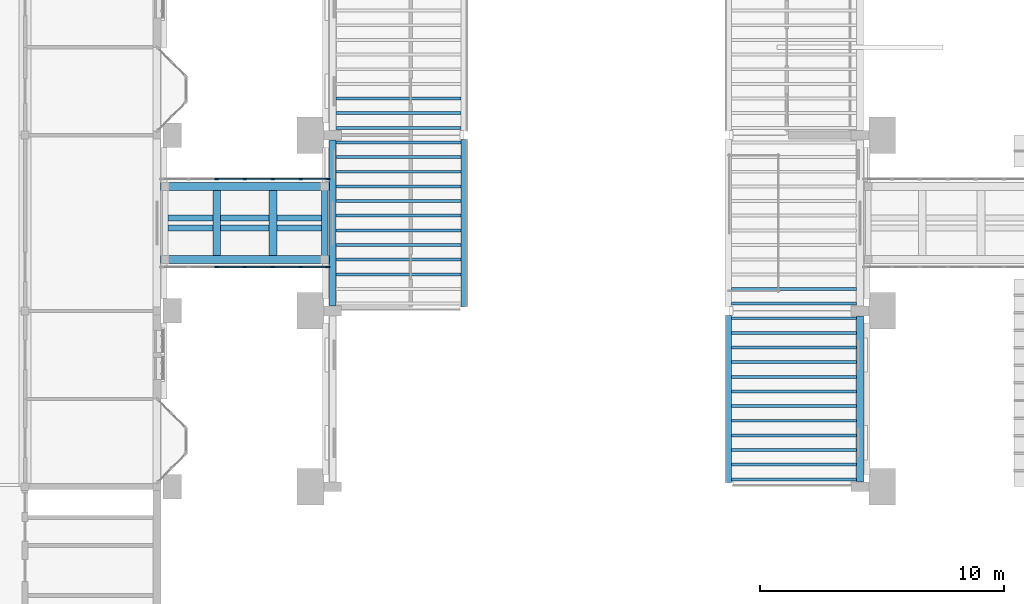
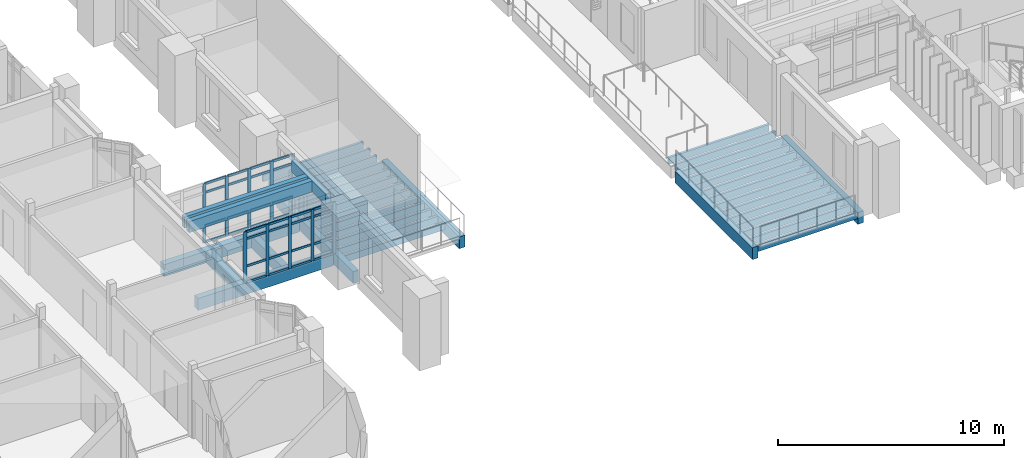
# One storey, part 7 of 69: 42 members, 38 beams, 2 elements without a shape of their own.
"""IFC4 building model written with IfcOpenShell, lengths in metres."""

from ifc_helpers import new_model, si_unit, direction, frame, origin, origin_2d, place, context, subcontext, project, spatial, rectangle, extrude, material, layer, layer_set, material_profile, profile_set, type_object, element, aggregate, save


model = new_model("IFC4")

# Units and contexts
model_context = context("Model", 3, precision=1e-05, world=origin(), true_north=direction((0.0, 1.0)))
body_context = subcontext(model_context, "Body", "Model", "MODEL_VIEW")
ifc_project = project(units=[si_unit("LENGTHUNIT", "METRE"), si_unit("AREAUNIT", "SQUARE_METRE"), si_unit("VOLUMEUNIT", "CUBIC_METRE"), si_unit("PLANEANGLEUNIT", "RADIAN"), si_unit("MASSUNIT", "GRAM", prefix="KILO")], contexts=[model_context])

# Site, building, storey
site_placement = place(None, origin())
site = spatial("IfcSite", under=ifc_project, at=site_placement, CompositionType="ELEMENT")
building_placement = place(site_placement, origin())
building = spatial("IfcBuilding", under=site, at=building_placement, Name="Mazhai Court Health Centre", CompositionType="ELEMENT")
storey_placement = place(building_placement, frame((0.0, 0.0, 6.300048828125)))
storey = spatial("IfcBuildingStorey", under=building, at=storey_placement, Name="L01", CompositionType="ELEMENT", Elevation=6.300048828125)

# Curtain wall, members
ifc_material_1 = material(Name="Teak timber frame, glazed", Category="wood")
ifc_layer = layer(ifc_material_1, 0.10009765625)
ifc_layer_set = layer_set([ifc_layer], Name="CURTAIN WALL TIMBER 1200")
curtain_wall_type = type_object("IfcCurtainWallType", Name="CURTAIN WALL TIMBER 1200", PredefinedType="NOTDEFINED", material=ifc_layer_set)
curtain_wall_1_placement = place(storey_placement, origin())
curtain_wall_1 = element("IfcCurtainWall", 1, at=curtain_wall_1_placement, inside=storey, type_object=curtain_wall_type, Name="CW-BR-P1-S", PredefinedType="NOTDEFINED")
ifc_material_2 = material(Name="Teak timber", Category="wood")
ifc_material_profile_1 = material_profile(ifc_material_2, rectangle(XDim=0.06005859375, YDim=0.159912109375, at=origin_2d()), Name="CW MULLION 60x160")
ifc_profile_set_1 = profile_set([ifc_material_profile_1], Name="Teak timber")
member_type_1 = type_object("IfcMemberType", Name="CW MULLION 60x160", PredefinedType="MULLION", material=ifc_profile_set_1)
member_1_placement = place(storey_placement, frame((37.455078125, 22.39990234375, 0.0), z_axis=(0.0, 0.0, 1.0), x_axis=(0.0, 1.0, 0.0)))
member_1 = element("IfcMember", 2, at=member_1_placement, type_object=member_type_1, Name="CW mullion 3", PredefinedType="MULLION", context=body_context, shape_type="SweptSolid", body=[
    extrude(rectangle(XDim=0.06005859375, YDim=0.159912109375, at=origin_2d()), origin(), (0.0, 0.0, 1.0), 2.780029296875),
])
member_2_placement = place(storey_placement, frame((38.60009765625, 22.39990234375, 0.0), z_axis=(0.0, 0.0, 1.0), x_axis=(0.0, 1.0, 0.0)))
member_2 = element("IfcMember", 3, at=member_2_placement, type_object=member_type_1, Name="CW mullion 4", PredefinedType="MULLION", context=body_context, shape_type="SweptSolid", body=[
    extrude(rectangle(XDim=0.06005859375, YDim=0.159912109375, at=origin_2d()), origin(), (0.0, 0.0, 1.0), 2.780029296875),
])
member_3_placement = place(storey_placement, frame((39.7451171875, 22.39990234375, 0.0), z_axis=(0.0, 0.0, 1.0), x_axis=(0.0, 1.0, 0.0)))
member_3 = element("IfcMember", 4, at=member_3_placement, type_object=member_type_1, Name="CW mullion 5", PredefinedType="MULLION", context=body_context, shape_type="SweptSolid", body=[
    extrude(rectangle(XDim=0.06005859375, YDim=0.159912109375, at=origin_2d()), origin(), (0.0, 0.0, 1.0), 2.780029296875),
])
member_4_placement = place(storey_placement, frame((40.889892578125, 22.39990234375, 0.0), z_axis=(0.0, 0.0, 1.0), x_axis=(0.0, 1.0, 0.0)))
member_4 = element("IfcMember", 5, at=member_4_placement, type_object=member_type_1, Name="CW mullion 6", PredefinedType="MULLION", context=body_context, shape_type="SweptSolid", body=[
    extrude(rectangle(XDim=0.06005859375, YDim=0.159912109375, at=origin_2d()), origin(), (0.0, 0.0, 1.0), 2.780029296875),
])
member_5_placement = place(storey_placement, frame((42.0048828125, 22.39990234375, 0.0), z_axis=(0.0, 0.0, 1.0), x_axis=(0.0, 1.0, 0.0)))
member_5 = element("IfcMember", 6, at=member_5_placement, type_object=member_type_1, Name="CW mullion 7", PredefinedType="MULLION", context=body_context, shape_type="SweptSolid", body=[
    extrude(rectangle(XDim=0.06005859375, YDim=0.159912109375, at=origin_2d()), origin(), (0.0, 0.0, 1.0), 2.780029296875),
])

curtain_wall_2_placement = place(storey_placement, origin())
curtain_wall_2 = element("IfcCurtainWall", 7, at=curtain_wall_2_placement, inside=storey, type_object=curtain_wall_type, Name="CW-BR-P1-N", PredefinedType="NOTDEFINED")
member_6_placement = place(storey_placement, frame((37.455078125, 26.0, 0.0), z_axis=(0.0, 0.0, 1.0), x_axis=(0.0, 1.0, 0.0)))
member_6 = element("IfcMember", 8, at=member_6_placement, type_object=member_type_1, Name="CW mullion 3", PredefinedType="MULLION", context=body_context, shape_type="SweptSolid", body=[
    extrude(rectangle(XDim=0.06005859375, YDim=0.159912109375, at=origin_2d()), origin(), (0.0, 0.0, 1.0), 3.199951171875),
])
member_7_placement = place(storey_placement, frame((38.60009765625, 26.0, 0.0), z_axis=(0.0, 0.0, 1.0), x_axis=(0.0, 1.0, 0.0)))
member_7 = element("IfcMember", 9, at=member_7_placement, type_object=member_type_1, Name="CW mullion 4", PredefinedType="MULLION", context=body_context, shape_type="SweptSolid", body=[
    extrude(rectangle(XDim=0.06005859375, YDim=0.159912109375, at=origin_2d()), origin(), (0.0, 0.0, 1.0), 3.199951171875),
])
member_8_placement = place(storey_placement, frame((39.7451171875, 26.0, 0.0), z_axis=(0.0, 0.0, 1.0), x_axis=(0.0, 1.0, 0.0)))
member_8 = element("IfcMember", 10, at=member_8_placement, type_object=member_type_1, Name="CW mullion 5", PredefinedType="MULLION", context=body_context, shape_type="SweptSolid", body=[
    extrude(rectangle(XDim=0.06005859375, YDim=0.159912109375, at=origin_2d()), origin(), (0.0, 0.0, 1.0), 3.199951171875),
])
member_9_placement = place(storey_placement, frame((40.889892578125, 26.0, 0.0), z_axis=(0.0, 0.0, 1.0), x_axis=(0.0, 1.0, 0.0)))
member_9 = element("IfcMember", 11, at=member_9_placement, type_object=member_type_1, Name="CW mullion 6", PredefinedType="MULLION", context=body_context, shape_type="SweptSolid", body=[
    extrude(rectangle(XDim=0.06005859375, YDim=0.159912109375, at=origin_2d()), origin(), (0.0, 0.0, 1.0), 3.199951171875),
])
member_10_placement = place(storey_placement, frame((42.0048828125, 26.0, 0.0), z_axis=(0.0, 0.0, 1.0), x_axis=(0.0, 1.0, 0.0)))
member_10 = element("IfcMember", 12, at=member_10_placement, type_object=member_type_1, Name="CW mullion 7", PredefinedType="MULLION", context=body_context, shape_type="SweptSolid", body=[
    extrude(rectangle(XDim=0.06005859375, YDim=0.159912109375, at=origin_2d()), origin(), (0.0, 0.0, 1.0), 3.199951171875),
])

# Member
ifc_material_3 = material(Name="Teak timber", Category="wood")
ifc_material_profile_2 = material_profile(ifc_material_3, rectangle(XDim=0.06005859375, YDim=0.1201171875, at=origin_2d()), Name="CW TRANSOM 60x120")
ifc_profile_set_2 = profile_set([ifc_material_profile_2], Name="Teak timber")
member_type_2 = type_object("IfcMemberType", Name="CW TRANSOM 60x120", PredefinedType="USERDEFINED", material=ifc_profile_set_2)
member_11_placement = place(storey_placement, frame((37.485107421875, 22.39990234375, 0.030029296875), z_axis=(1.0, 0.0, 0.0), x_axis=(0.0, 1.0, 0.0)))
member_11 = element("IfcMember", 13, at=member_11_placement, type_object=member_type_2, Name="CW transom 3.1", ObjectType="TRANSOM", PredefinedType="USERDEFINED", context=body_context, shape_type="SweptSolid", body=[
    extrude(rectangle(XDim=0.06005859375, YDim=0.1201171875, at=origin_2d()), origin(), (0.0, 0.0, 1.0), 1.0849609375),
])

member_12_placement = place(storey_placement, frame((37.485107421875, 22.39990234375, 0.89990234375), z_axis=(1.0, 0.0, 0.0), x_axis=(0.0, 1.0, 0.0)))
member_12 = element("IfcMember", 14, at=member_12_placement, type_object=member_type_2, Name="CW transom 3.2", ObjectType="TRANSOM", PredefinedType="USERDEFINED", context=body_context, shape_type="SweptSolid", body=[
    extrude(rectangle(XDim=0.06005859375, YDim=0.1201171875, at=origin_2d()), origin(), (0.0, 0.0, 1.0), 1.0849609375),
])

member_13_placement = place(storey_placement, frame((37.485107421875, 22.39990234375, 2.3798828125), z_axis=(1.0, 0.0, 0.0), x_axis=(0.0, 1.0, 0.0)))
member_13 = element("IfcMember", 15, at=member_13_placement, type_object=member_type_2, Name="CW transom 3.3", ObjectType="TRANSOM", PredefinedType="USERDEFINED", context=body_context, shape_type="SweptSolid", body=[
    extrude(rectangle(XDim=0.06005859375, YDim=0.1201171875, at=origin_2d()), origin(), (0.0, 0.0, 1.0), 1.0849609375),
])

member_14_placement = place(storey_placement, frame((37.485107421875, 22.39990234375, 2.75), z_axis=(1.0, 0.0, 0.0), x_axis=(0.0, 1.0, 0.0)))
member_14 = element("IfcMember", 16, at=member_14_placement, type_object=member_type_2, Name="CW transom 3.4", ObjectType="TRANSOM", PredefinedType="USERDEFINED", context=body_context, shape_type="SweptSolid", body=[
    extrude(rectangle(XDim=0.06005859375, YDim=0.1201171875, at=origin_2d()), origin(), (0.0, 0.0, 1.0), 1.0849609375),
])

member_15_placement = place(storey_placement, frame((38.6298828125, 22.39990234375, 0.030029296875), z_axis=(1.0, 0.0, 0.0), x_axis=(0.0, 1.0, 0.0)))
member_15 = element("IfcMember", 17, at=member_15_placement, type_object=member_type_2, Name="CW transom 4.1", ObjectType="TRANSOM", PredefinedType="USERDEFINED", context=body_context, shape_type="SweptSolid", body=[
    extrude(rectangle(XDim=0.06005859375, YDim=0.1201171875, at=origin_2d()), origin(), (0.0, 0.0, 1.0), 1.085205078125),
])

member_16_placement = place(storey_placement, frame((38.6298828125, 22.39990234375, 0.89990234375), z_axis=(1.0, 0.0, 0.0), x_axis=(0.0, 1.0, 0.0)))
member_16 = element("IfcMember", 18, at=member_16_placement, type_object=member_type_2, Name="CW transom 4.2", ObjectType="TRANSOM", PredefinedType="USERDEFINED", context=body_context, shape_type="SweptSolid", body=[
    extrude(rectangle(XDim=0.06005859375, YDim=0.1201171875, at=origin_2d()), origin(), (0.0, 0.0, 1.0), 1.085205078125),
])

member_17_placement = place(storey_placement, frame((38.6298828125, 22.39990234375, 2.3798828125), z_axis=(1.0, 0.0, 0.0), x_axis=(0.0, 1.0, 0.0)))
member_17 = element("IfcMember", 19, at=member_17_placement, type_object=member_type_2, Name="CW transom 4.3", ObjectType="TRANSOM", PredefinedType="USERDEFINED", context=body_context, shape_type="SweptSolid", body=[
    extrude(rectangle(XDim=0.06005859375, YDim=0.1201171875, at=origin_2d()), origin(), (0.0, 0.0, 1.0), 1.085205078125),
])

member_18_placement = place(storey_placement, frame((38.6298828125, 22.39990234375, 2.75), z_axis=(1.0, 0.0, 0.0), x_axis=(0.0, 1.0, 0.0)))
member_18 = element("IfcMember", 20, at=member_18_placement, type_object=member_type_2, Name="CW transom 4.4", ObjectType="TRANSOM", PredefinedType="USERDEFINED", context=body_context, shape_type="SweptSolid", body=[
    extrude(rectangle(XDim=0.06005859375, YDim=0.1201171875, at=origin_2d()), origin(), (0.0, 0.0, 1.0), 1.085205078125),
])

member_19_placement = place(storey_placement, frame((39.77490234375, 22.39990234375, 0.030029296875), z_axis=(1.0, 0.0, 0.0), x_axis=(0.0, 1.0, 0.0)))
member_19 = element("IfcMember", 21, at=member_19_placement, type_object=member_type_2, Name="CW transom 5.1", ObjectType="TRANSOM", PredefinedType="USERDEFINED", context=body_context, shape_type="SweptSolid", body=[
    extrude(rectangle(XDim=0.06005859375, YDim=0.1201171875, at=origin_2d()), origin(), (0.0, 0.0, 1.0), 1.085205078125),
])

member_20_placement = place(storey_placement, frame((39.77490234375, 22.39990234375, 0.89990234375), z_axis=(1.0, 0.0, 0.0), x_axis=(0.0, 1.0, 0.0)))
member_20 = element("IfcMember", 22, at=member_20_placement, type_object=member_type_2, Name="CW transom 5.2", ObjectType="TRANSOM", PredefinedType="USERDEFINED", context=body_context, shape_type="SweptSolid", body=[
    extrude(rectangle(XDim=0.06005859375, YDim=0.1201171875, at=origin_2d()), origin(), (0.0, 0.0, 1.0), 1.085205078125),
])

member_21_placement = place(storey_placement, frame((39.77490234375, 22.39990234375, 2.3798828125), z_axis=(1.0, 0.0, 0.0), x_axis=(0.0, 1.0, 0.0)))
member_21 = element("IfcMember", 23, at=member_21_placement, type_object=member_type_2, Name="CW transom 5.3", ObjectType="TRANSOM", PredefinedType="USERDEFINED", context=body_context, shape_type="SweptSolid", body=[
    extrude(rectangle(XDim=0.06005859375, YDim=0.1201171875, at=origin_2d()), origin(), (0.0, 0.0, 1.0), 1.085205078125),
])

member_22_placement = place(storey_placement, frame((39.77490234375, 22.39990234375, 2.75), z_axis=(1.0, 0.0, 0.0), x_axis=(0.0, 1.0, 0.0)))
member_22 = element("IfcMember", 24, at=member_22_placement, type_object=member_type_2, Name="CW transom 5.4", ObjectType="TRANSOM", PredefinedType="USERDEFINED", context=body_context, shape_type="SweptSolid", body=[
    extrude(rectangle(XDim=0.06005859375, YDim=0.1201171875, at=origin_2d()), origin(), (0.0, 0.0, 1.0), 1.085205078125),
])

member_23_placement = place(storey_placement, frame((40.919921875, 22.39990234375, 0.030029296875), z_axis=(1.0, 0.0, 0.0), x_axis=(0.0, 1.0, 0.0)))
member_23 = element("IfcMember", 25, at=member_23_placement, type_object=member_type_2, Name="CW transom 6.1", ObjectType="TRANSOM", PredefinedType="USERDEFINED", context=body_context, shape_type="SweptSolid", body=[
    extrude(rectangle(XDim=0.06005859375, YDim=0.1201171875, at=origin_2d()), origin(), (0.0, 0.0, 1.0), 1.05517578125),
])

member_24_placement = place(storey_placement, frame((40.919921875, 22.39990234375, 0.89990234375), z_axis=(1.0, 0.0, 0.0), x_axis=(0.0, 1.0, 0.0)))
member_24 = element("IfcMember", 26, at=member_24_placement, type_object=member_type_2, Name="CW transom 6.2", ObjectType="TRANSOM", PredefinedType="USERDEFINED", context=body_context, shape_type="SweptSolid", body=[
    extrude(rectangle(XDim=0.06005859375, YDim=0.1201171875, at=origin_2d()), origin(), (0.0, 0.0, 1.0), 1.05517578125),
])

member_25_placement = place(storey_placement, frame((40.919921875, 22.39990234375, 2.3798828125), z_axis=(1.0, 0.0, 0.0), x_axis=(0.0, 1.0, 0.0)))
member_25 = element("IfcMember", 27, at=member_25_placement, type_object=member_type_2, Name="CW transom 6.3", ObjectType="TRANSOM", PredefinedType="USERDEFINED", context=body_context, shape_type="SweptSolid", body=[
    extrude(rectangle(XDim=0.06005859375, YDim=0.1201171875, at=origin_2d()), origin(), (0.0, 0.0, 1.0), 1.05517578125),
])

member_26_placement = place(storey_placement, frame((40.919921875, 22.39990234375, 2.75), z_axis=(1.0, 0.0, 0.0), x_axis=(0.0, 1.0, 0.0)))
member_26 = element("IfcMember", 28, at=member_26_placement, type_object=member_type_2, Name="CW transom 6.4", ObjectType="TRANSOM", PredefinedType="USERDEFINED", context=body_context, shape_type="SweptSolid", body=[
    extrude(rectangle(XDim=0.06005859375, YDim=0.1201171875, at=origin_2d()), origin(), (0.0, 0.0, 1.0), 1.05517578125),
])

aggregate(curtain_wall_1, [member_1, member_2, member_3, member_4, member_5, member_11, member_12, member_13, member_14, member_15, member_16, member_17, member_18, member_19, member_20, member_21, member_22, member_23, member_24, member_25, member_26])

member_27_placement = place(storey_placement, frame((37.485107421875, 26.0, 0.030029296875), z_axis=(1.0, 0.0, 0.0), x_axis=(0.0, 1.0, 0.0)))
member_27 = element("IfcMember", 29, at=member_27_placement, type_object=member_type_2, Name="CW transom 3.1", ObjectType="TRANSOM", PredefinedType="USERDEFINED", context=body_context, shape_type="SweptSolid", body=[
    extrude(rectangle(XDim=0.06005859375, YDim=0.1201171875, at=origin_2d()), origin(), (0.0, 0.0, 1.0), 1.0849609375),
])

member_28_placement = place(storey_placement, frame((37.485107421875, 26.0, 0.89990234375), z_axis=(1.0, 0.0, 0.0), x_axis=(0.0, 1.0, 0.0)))
member_28 = element("IfcMember", 30, at=member_28_placement, type_object=member_type_2, Name="CW transom 3.2", ObjectType="TRANSOM", PredefinedType="USERDEFINED", context=body_context, shape_type="SweptSolid", body=[
    extrude(rectangle(XDim=0.06005859375, YDim=0.1201171875, at=origin_2d()), origin(), (0.0, 0.0, 1.0), 1.0849609375),
])

member_29_placement = place(storey_placement, frame((37.485107421875, 26.0, 2.699951171875), z_axis=(1.0, 0.0, 0.0), x_axis=(0.0, 1.0, 0.0)))
member_29 = element("IfcMember", 31, at=member_29_placement, type_object=member_type_2, Name="CW transom 3.3", ObjectType="TRANSOM", PredefinedType="USERDEFINED", context=body_context, shape_type="SweptSolid", body=[
    extrude(rectangle(XDim=0.06005859375, YDim=0.1201171875, at=origin_2d()), origin(), (0.0, 0.0, 1.0), 1.0849609375),
])

member_30_placement = place(storey_placement, frame((37.485107421875, 26.0, 3.169921875), z_axis=(1.0, 0.0, 0.0), x_axis=(0.0, 1.0, 0.0)))
member_30 = element("IfcMember", 32, at=member_30_placement, type_object=member_type_2, Name="CW transom 3.4", ObjectType="TRANSOM", PredefinedType="USERDEFINED", context=body_context, shape_type="SweptSolid", body=[
    extrude(rectangle(XDim=0.06005859375, YDim=0.1201171875, at=origin_2d()), origin(), (0.0, 0.0, 1.0), 1.0849609375),
])

member_31_placement = place(storey_placement, frame((38.6298828125, 26.0, 0.030029296875), z_axis=(1.0, 0.0, 0.0), x_axis=(0.0, 1.0, 0.0)))
member_31 = element("IfcMember", 33, at=member_31_placement, type_object=member_type_2, Name="CW transom 4.1", ObjectType="TRANSOM", PredefinedType="USERDEFINED", context=body_context, shape_type="SweptSolid", body=[
    extrude(rectangle(XDim=0.06005859375, YDim=0.1201171875, at=origin_2d()), origin(), (0.0, 0.0, 1.0), 1.085205078125),
])

member_32_placement = place(storey_placement, frame((38.6298828125, 26.0, 0.89990234375), z_axis=(1.0, 0.0, 0.0), x_axis=(0.0, 1.0, 0.0)))
member_32 = element("IfcMember", 34, at=member_32_placement, type_object=member_type_2, Name="CW transom 4.2", ObjectType="TRANSOM", PredefinedType="USERDEFINED", context=body_context, shape_type="SweptSolid", body=[
    extrude(rectangle(XDim=0.06005859375, YDim=0.1201171875, at=origin_2d()), origin(), (0.0, 0.0, 1.0), 1.085205078125),
])

member_33_placement = place(storey_placement, frame((38.6298828125, 26.0, 2.699951171875), z_axis=(1.0, 0.0, 0.0), x_axis=(0.0, 1.0, 0.0)))
member_33 = element("IfcMember", 35, at=member_33_placement, type_object=member_type_2, Name="CW transom 4.3", ObjectType="TRANSOM", PredefinedType="USERDEFINED", context=body_context, shape_type="SweptSolid", body=[
    extrude(rectangle(XDim=0.06005859375, YDim=0.1201171875, at=origin_2d()), origin(), (0.0, 0.0, 1.0), 1.085205078125),
])

member_34_placement = place(storey_placement, frame((38.6298828125, 26.0, 3.169921875), z_axis=(1.0, 0.0, 0.0), x_axis=(0.0, 1.0, 0.0)))
member_34 = element("IfcMember", 36, at=member_34_placement, type_object=member_type_2, Name="CW transom 4.4", ObjectType="TRANSOM", PredefinedType="USERDEFINED", context=body_context, shape_type="SweptSolid", body=[
    extrude(rectangle(XDim=0.06005859375, YDim=0.1201171875, at=origin_2d()), origin(), (0.0, 0.0, 1.0), 1.085205078125),
])

member_35_placement = place(storey_placement, frame((39.77490234375, 26.0, 0.030029296875), z_axis=(1.0, 0.0, 0.0), x_axis=(0.0, 1.0, 0.0)))
member_35 = element("IfcMember", 37, at=member_35_placement, type_object=member_type_2, Name="CW transom 5.1", ObjectType="TRANSOM", PredefinedType="USERDEFINED", context=body_context, shape_type="SweptSolid", body=[
    extrude(rectangle(XDim=0.06005859375, YDim=0.1201171875, at=origin_2d()), origin(), (0.0, 0.0, 1.0), 1.085205078125),
])

member_36_placement = place(storey_placement, frame((39.77490234375, 26.0, 0.89990234375), z_axis=(1.0, 0.0, 0.0), x_axis=(0.0, 1.0, 0.0)))
member_36 = element("IfcMember", 38, at=member_36_placement, type_object=member_type_2, Name="CW transom 5.2", ObjectType="TRANSOM", PredefinedType="USERDEFINED", context=body_context, shape_type="SweptSolid", body=[
    extrude(rectangle(XDim=0.06005859375, YDim=0.1201171875, at=origin_2d()), origin(), (0.0, 0.0, 1.0), 1.085205078125),
])

member_37_placement = place(storey_placement, frame((39.77490234375, 26.0, 2.699951171875), z_axis=(1.0, 0.0, 0.0), x_axis=(0.0, 1.0, 0.0)))
member_37 = element("IfcMember", 39, at=member_37_placement, type_object=member_type_2, Name="CW transom 5.3", ObjectType="TRANSOM", PredefinedType="USERDEFINED", context=body_context, shape_type="SweptSolid", body=[
    extrude(rectangle(XDim=0.06005859375, YDim=0.1201171875, at=origin_2d()), origin(), (0.0, 0.0, 1.0), 1.085205078125),
])

member_38_placement = place(storey_placement, frame((39.77490234375, 26.0, 3.169921875), z_axis=(1.0, 0.0, 0.0), x_axis=(0.0, 1.0, 0.0)))
member_38 = element("IfcMember", 40, at=member_38_placement, type_object=member_type_2, Name="CW transom 5.4", ObjectType="TRANSOM", PredefinedType="USERDEFINED", context=body_context, shape_type="SweptSolid", body=[
    extrude(rectangle(XDim=0.06005859375, YDim=0.1201171875, at=origin_2d()), origin(), (0.0, 0.0, 1.0), 1.085205078125),
])

member_39_placement = place(storey_placement, frame((40.919921875, 26.0, 0.030029296875), z_axis=(1.0, 0.0, 0.0), x_axis=(0.0, 1.0, 0.0)))
member_39 = element("IfcMember", 41, at=member_39_placement, type_object=member_type_2, Name="CW transom 6.1", ObjectType="TRANSOM", PredefinedType="USERDEFINED", context=body_context, shape_type="SweptSolid", body=[
    extrude(rectangle(XDim=0.06005859375, YDim=0.1201171875, at=origin_2d()), origin(), (0.0, 0.0, 1.0), 1.05517578125),
])

member_40_placement = place(storey_placement, frame((40.919921875, 26.0, 0.89990234375), z_axis=(1.0, 0.0, 0.0), x_axis=(0.0, 1.0, 0.0)))
member_40 = element("IfcMember", 42, at=member_40_placement, type_object=member_type_2, Name="CW transom 6.2", ObjectType="TRANSOM", PredefinedType="USERDEFINED", context=body_context, shape_type="SweptSolid", body=[
    extrude(rectangle(XDim=0.06005859375, YDim=0.1201171875, at=origin_2d()), origin(), (0.0, 0.0, 1.0), 1.05517578125),
])

member_41_placement = place(storey_placement, frame((40.919921875, 26.0, 2.699951171875), z_axis=(1.0, 0.0, 0.0), x_axis=(0.0, 1.0, 0.0)))
member_41 = element("IfcMember", 43, at=member_41_placement, type_object=member_type_2, Name="CW transom 6.3", ObjectType="TRANSOM", PredefinedType="USERDEFINED", context=body_context, shape_type="SweptSolid", body=[
    extrude(rectangle(XDim=0.06005859375, YDim=0.1201171875, at=origin_2d()), origin(), (0.0, 0.0, 1.0), 1.05517578125),
])

member_42_placement = place(storey_placement, frame((40.919921875, 26.0, 3.169921875), z_axis=(1.0, 0.0, 0.0), x_axis=(0.0, 1.0, 0.0)))
member_42 = element("IfcMember", 44, at=member_42_placement, type_object=member_type_2, Name="CW transom 6.4", ObjectType="TRANSOM", PredefinedType="USERDEFINED", context=body_context, shape_type="SweptSolid", body=[
    extrude(rectangle(XDim=0.06005859375, YDim=0.1201171875, at=origin_2d()), origin(), (0.0, 0.0, 1.0), 1.05517578125),
])

aggregate(curtain_wall_2, [member_6, member_7, member_8, member_9, member_10, member_27, member_28, member_29, member_30, member_31, member_32, member_33, member_34, member_35, member_36, member_37, member_38, member_39, member_40, member_41, member_42])

# Beams
ifc_material_4 = material(Name="Glulam GL24h", Category="wood")
ifc_material_profile_3 = material_profile(ifc_material_4, rectangle(XDim=0.1201171875, YDim=0.360107421875, at=origin_2d()), Name="GL24h 120x360")
ifc_profile_set_3 = profile_set([ifc_material_profile_3], Name="Glulam GL24h")
beam_type_1 = type_object("IfcBeamType", Name="GL24h 120x360 joist", PredefinedType="JOIST", material=ifc_profile_set_3)
for number, where, z_axis, x_axis, name in (
    (45, (42.340087890625, 22.10009765625, -0.219970703125), (1.0, 0.0, 0.0), (0.0, 1.0, 0.0), "joist-V1-L01-W1-2"),
    (46, (42.340087890625, 22.699951171875, -0.219970703125), (1.0, 0.0, 0.0), (0.0, 1.0, 0.0), "joist-V1-L01-W1-3"),
    (47, (42.340087890625, 23.300048828125, -0.219970703125), (1.0, 0.0, 0.0), (0.0, 1.0, 0.0), "joist-V1-L01-W1-4"),
    (48, (42.340087890625, 23.89990234375, -0.219970703125), (1.0, 0.0, 0.0), (0.0, 1.0, 0.0), "joist-V1-L01-W1-5"),
    (49, (42.340087890625, 24.5, -0.219970703125), (1.0, 0.0, 0.0), (0.0, 1.0, 0.0), "joist-V1-L01-W1-6"),
    (50, (42.340087890625, 25.10009765625, -0.219970703125), (1.0, 0.0, 0.0), (0.0, 1.0, 0.0), "joist-V1-L01-W1-7"),
    (51, (42.340087890625, 25.699951171875, -0.219970703125), (1.0, 0.0, 0.0), (0.0, 1.0, 0.0), "joist-V1-L01-W1-8"),
    (52, (42.340087890625, 26.300048828125, -0.219970703125), (1.0, 0.0, 0.0), (0.0, 1.0, 0.0), "joist-V1-L01-W1-9"),
    (53, (42.340087890625, 26.89990234375, -0.219970703125), (1.0, 0.0, 0.0), (0.0, 1.0, 0.0), "joist-V1-L01-W1-10"),
    (54, (42.340087890625, 27.5, -0.219970703125), (1.0, 0.0, 0.0), (0.0, 1.0, 0.0), "joist-V1-L01-W1-11"),
    (55, (42.340087890625, 28.10009765625, -0.219970703125), (1.0, 0.0, 0.0), (0.0, 1.0, 0.0), "joist-V1-L01-W2-0"),
    (56, (42.340087890625, 28.699951171875, -0.219970703125), (1.0, 0.0, 0.0), (0.0, 1.0, 0.0), "joist-V1-L01-W2-1"),
    (57, (42.340087890625, 29.300048828125, -0.219970703125), (1.0, 0.0, 0.0), (0.0, 1.0, 0.0), "joist-V1-L01-W2-2"),
    (58, (58.5400390625, 13.699951171875, -0.219970703125), (1.0, 0.0, 0.0), (0.0, 1.0, 0.0), "joist-V1-L01-E0-0"),
    (59, (58.5400390625, 14.300048828125, -0.219970703125), (1.0, 0.0, 0.0), (0.0, 1.0, 0.0), "joist-V1-L01-E0-1"),
    (60, (58.5400390625, 14.89990234375, -0.219970703125), (1.0, 0.0, 0.0), (0.0, 1.0, 0.0), "joist-V1-L01-E0-2"),
    (61, (58.5400390625, 15.5, -0.219970703125), (1.0, 0.0, 0.0), (0.0, 1.0, 0.0), "joist-V1-L01-E0-3"),
    (62, (58.5400390625, 16.10009765625, -0.219970703125), (1.0, 0.0, 0.0), (0.0, 1.0, 0.0), "joist-V1-L01-E0-4"),
    (63, (58.5400390625, 16.699951171875, -0.219970703125), (1.0, 0.0, 0.0), (0.0, 1.0, 0.0), "joist-V1-L01-E0-5"),
    (64, (58.5400390625, 17.300048828125, -0.219970703125), (1.0, 0.0, 0.0), (0.0, 1.0, 0.0), "joist-V1-L01-E0-6"),
    (65, (58.5400390625, 17.89990234375, -0.219970703125), (1.0, 0.0, 0.0), (0.0, 1.0, 0.0), "joist-V1-L01-E0-7"),
    (66, (58.5400390625, 18.5, -0.219970703125), (1.0, 0.0, 0.0), (0.0, 1.0, 0.0), "joist-V1-L01-E0-8"),
    (67, (58.5400390625, 19.10009765625, -0.219970703125), (1.0, 0.0, 0.0), (0.0, 1.0, 0.0), "joist-V1-L01-E0-9"),
    (68, (58.5400390625, 19.699951171875, -0.219970703125), (1.0, 0.0, 0.0), (0.0, 1.0, 0.0), "joist-V1-L01-E0-10"),
    (69, (58.5400390625, 20.300048828125, -0.219970703125), (1.0, 0.0, 0.0), (0.0, 1.0, 0.0), "joist-V1-L01-E0-11"),
    (70, (58.5400390625, 20.89990234375, -0.219970703125), (1.0, 0.0, 0.0), (0.0, 1.0, 0.0), "joist-V1-L01-E1-0"),
    (71, (58.5400390625, 21.5, -0.219970703125), (1.0, 0.0, 0.0), (0.0, 1.0, 0.0), "joist-V1-L01-E1-1"),
):
    element("IfcBeam", number, at=place(storey_placement, frame(where, z_axis=z_axis, x_axis=x_axis)), inside=storey, type_object=beam_type_1, Name=name, PredefinedType="JOIST", context=body_context, shape_type="SweptSolid", body=[
        extrude(rectangle(XDim=0.1201171875, YDim=0.360107421875, at=origin_2d()), origin(), (0.0, 0.0, 1.0), 5.119873046875),
    ])
ifc_material_5 = material(Name="Glulam GL28h", Category="wood")
ifc_material_profile_4 = material_profile(ifc_material_5, rectangle(XDim=0.239990234375, YDim=0.60009765625, at=origin_2d()), Name="GL28h 240x600")
ifc_profile_set_4 = profile_set([ifc_material_profile_4], Name="Glulam GL28h")
beam_type_2 = type_object("IfcBeamType", Name="GL28h 240x600 header", PredefinedType="BEAM", material=ifc_profile_set_4)
beam_1_placement = place(storey_placement, frame((41.864990234375, 22.699951171875, 2.804931640625), z_axis=(0.0, 1.0, 0.0), x_axis=(-1.0, 0.0, 0.0)))
element("IfcBeam", 72, at=beam_1_placement, inside=storey, type_object=beam_type_2, Name="header-BR-P1-roof-E", PredefinedType="BEAM", context=body_context, shape_type="SweptSolid", body=[
    extrude(rectangle(XDim=0.239990234375, YDim=0.60009765625, at=origin_2d()), origin(), (0.0, 0.0, 1.0), 3.0),
])
ifc_material_6 = material(Name="Glulam GL28h", Category="wood")
ifc_material_profile_5 = material_profile(ifc_material_6, rectangle(XDim=0.239990234375, YDim=0.60009765625, at=origin_2d()), Name="GL28h 240x600")
ifc_profile_set_5 = profile_set([ifc_material_profile_5], Name="Glulam GL28h")
beam_type_3 = type_object("IfcBeamType", Name="GL28h 240x600 roof beam", PredefinedType="BEAM", material=ifc_profile_set_5)
for number, where, z_axis, x_axis, name in (
    (73, (35.4599609375, 24.0, 2.804931640625), (1.0, 0.0, 0.0), (0.0, 1.0, 0.0), "beam-BR-P1-roof-S"),
    (74, (35.4599609375, 24.39990234375, 2.804931640625), (1.0, 0.0, 0.0), (0.0, 1.0, 0.0), "beam-BR-P1-roof-N"),
):
    element("IfcBeam", number, at=place(storey_placement, frame(where, z_axis=z_axis, x_axis=x_axis)), inside=storey, type_object=beam_type_3, Name=name, PredefinedType="BEAM", context=body_context, shape_type="SweptSolid", body=[
        extrude(rectangle(XDim=0.239990234375, YDim=0.60009765625, at=origin_2d()), origin(), (0.0, 0.0, 1.0), 6.28515625),
    ])
ifc_material_7 = material(Name="Glulam GL28h", Category="wood")
ifc_material_profile_6 = material_profile(ifc_material_7, rectangle(XDim=0.280029296875, YDim=0.639892578125, at=origin_2d()), Name="GL28h 280x640")
ifc_profile_set_6 = profile_set([ifc_material_profile_6], Name="Glulam GL28h")
beam_type_4 = type_object("IfcBeamType", Name="GL28h 280x640 beam", PredefinedType="BEAM", material=ifc_profile_set_6)
beam_2_placement = place(storey_placement, frame((42.199951171875, 20.800048828125, -0.360107421875), z_axis=(0.0, 1.0, 0.0), x_axis=(-1.0, 0.0, 0.0)))
element("IfcBeam", 75, at=beam_2_placement, inside=storey, type_object=beam_type_4, Name="beam-V1-L01-wW1", PredefinedType="BEAM", context=body_context, shape_type="SweptSolid", body=[
    extrude(rectangle(XDim=0.280029296875, YDim=0.639892578125, at=origin_2d()), origin(), (0.0, 0.0, 1.0), 6.800048828125),
])
beam_3_placement = place(storey_placement, frame((47.60009765625, 20.780029296875, -0.360107421875), z_axis=(0.0, 1.0, 0.0), x_axis=(-1.0, 0.0, 0.0)))
element("IfcBeam", 76, at=beam_3_placement, inside=storey, type_object=beam_type_4, Name="beam-V1-L01-aW1", PredefinedType="BEAM", context=body_context, shape_type="SweptSolid", body=[
    extrude(rectangle(XDim=0.280029296875, YDim=0.639892578125, at=origin_2d()), origin(), (0.0, 0.0, 1.0), 6.840087890625),
])
beam_4_placement = place(storey_placement, frame((63.800048828125, 13.60009765625, -0.360107421875), z_axis=(0.0, 1.0, 0.0), x_axis=(-1.0, 0.0, 0.0)))
element("IfcBeam", 77, at=beam_4_placement, inside=storey, type_object=beam_type_4, Name="beam-V1-L01-wE0", PredefinedType="BEAM", context=body_context, shape_type="SweptSolid", body=[
    extrude(rectangle(XDim=0.280029296875, YDim=0.639892578125, at=origin_2d()), origin(), (0.0, 0.0, 1.0), 6.7998046875),
])
beam_5_placement = place(storey_placement, frame((58.39990234375, 13.580078125, -0.360107421875), z_axis=(0.0, 1.0, 0.0), x_axis=(-1.0, 0.0, 0.0)))
element("IfcBeam", 78, at=beam_5_placement, inside=storey, type_object=beam_type_4, Name="beam-V1-L01-aE0", PredefinedType="BEAM", context=body_context, shape_type="SweptSolid", body=[
    extrude(rectangle(XDim=0.280029296875, YDim=0.639892578125, at=origin_2d()), origin(), (0.0, 0.0, 1.0), 6.83984375),
])
ifc_material_8 = material(Name="Glulam GL28h", Category="wood")
ifc_material_profile_7 = material_profile(ifc_material_8, rectangle(XDim=0.320068359375, YDim=0.639892578125, at=origin_2d()), Name="GL28h 320x640")
ifc_profile_set_7 = profile_set([ifc_material_profile_7], Name="Glulam GL28h")
beam_type_5 = type_object("IfcBeamType", Name="GL28h 320x640 cross beam", PredefinedType="BEAM", material=ifc_profile_set_7)
for number, where, z_axis, x_axis, name in (
    (79, (37.453369140625, 22.860107421875, -0.43994140625), (0.0, 1.0, 0.0), (-1.0, 0.0, 0.0), "cross-BR-P1-1"),
    (80, (39.756591796875, 22.860107421875, -0.43994140625), (0.0, 1.0, 0.0), (-1.0, 0.0, 0.0), "cross-BR-P1-2"),
):
    element("IfcBeam", number, at=place(storey_placement, frame(where, z_axis=z_axis, x_axis=x_axis)), inside=storey, type_object=beam_type_5, Name=name, PredefinedType="BEAM", context=body_context, shape_type="SweptSolid", body=[
        extrude(rectangle(XDim=0.320068359375, YDim=0.639892578125, at=origin_2d()), origin(), (0.0, 0.0, 1.0), 2.679931640625),
    ])
ifc_material_9 = material(Name="Glulam GL28h", Category="wood")
ifc_material_profile_8 = material_profile(ifc_material_9, rectangle(XDim=0.320068359375, YDim=0.639892578125, at=origin_2d()), Name="GL28h 320x640")
ifc_profile_set_8 = profile_set([ifc_material_profile_8], Name="Glulam GL28h")
beam_type_6 = type_object("IfcBeamType", Name="GL28h 320x640 girder", PredefinedType="BEAM", material=ifc_profile_set_8)
for number, where, z_axis, x_axis, name in (
    (81, (35.14990234375, 22.699951171875, -0.43994140625), (1.0, 0.0, 0.0), (0.0, 1.0, 0.0), "girder-BR-P1-S"),
    (82, (35.14990234375, 25.699951171875, -0.43994140625), (1.0, 0.0, 0.0), (0.0, 1.0, 0.0), "girder-BR-P1-N"),
):
    element("IfcBeam", number, at=place(storey_placement, frame(where, z_axis=z_axis, x_axis=x_axis)), inside=storey, type_object=beam_type_6, Name=name, PredefinedType="BEAM", context=body_context, shape_type="SweptSolid", body=[
        extrude(rectangle(XDim=0.320068359375, YDim=0.639892578125, at=origin_2d()), origin(), (0.0, 0.0, 1.0), 6.91015625),
    ])

save(model, "model.ifc")
